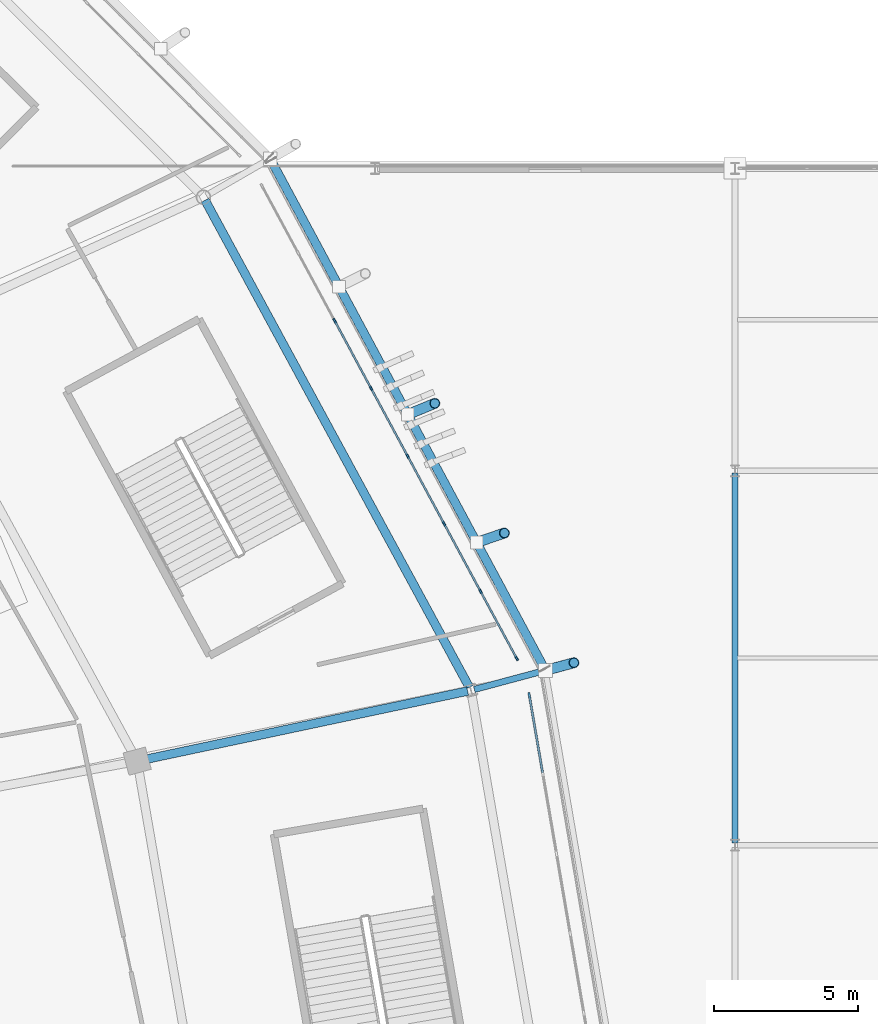
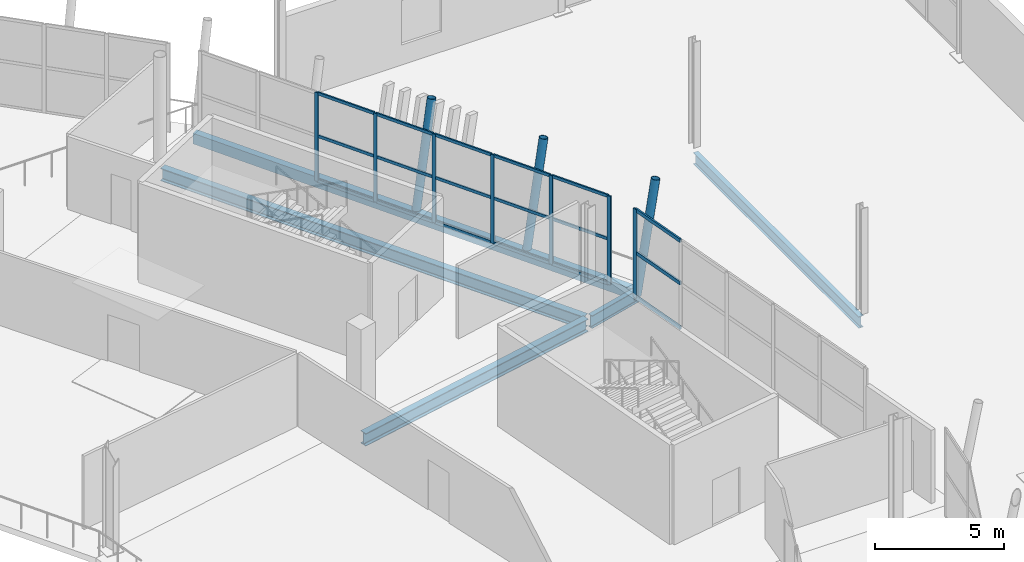
# One storey, part 67 of 179: 28 members, 5 beams, 2 elements without a shape of their own.
"""IFC4 building model written with IfcOpenShell, lengths in metres."""

from ifc_helpers import new_model, si_unit, direction, frame, origin, origin_2d, place, context, subcontext, project, spatial, rectangle, hollow_rectangle, hollow_circle, i_section, extrude, material, material_profile, profile_set, type_object, element, aggregate, save


model = new_model("IFC4")

# Units and contexts
model_context = context("Model", 3, precision=1e-05, world=origin(), true_north=direction((0.0, 1.0)))
body_context = subcontext(model_context, "Body", "Model", "MODEL_VIEW")
ifc_project = project(units=[si_unit("LENGTHUNIT", "METRE"), si_unit("AREAUNIT", "SQUARE_METRE"), si_unit("VOLUMEUNIT", "CUBIC_METRE"), si_unit("PLANEANGLEUNIT", "RADIAN"), si_unit("MASSUNIT", "GRAM", prefix="KILO")], contexts=[model_context])

# Site, building, storey
site_placement = place(None, origin())
site = spatial("IfcSite", under=ifc_project, at=site_placement, CompositionType="ELEMENT")
building_placement = place(site_placement, origin())
building = spatial("IfcBuilding", under=site, at=building_placement, Name="Zlatoyarsky Gate Stadium", CompositionType="ELEMENT")
storey_placement = place(building_placement, frame((0.0, 0.0, 10.60009765625)))
storey = spatial("IfcBuildingStorey", under=building, at=storey_placement, Name="L02", CompositionType="ELEMENT", Elevation=10.60009765625)

# Curtain wall, members
ifc_material_1 = material(Name="Thermally broken anodised aluminium curtain wall", Category="aluminium")
curtain_wall_type_1 = type_object("IfcCurtainWallType", Name="MONUMENTAL ARCHED GATE GLAZING UPPER", PredefinedType="USERDEFINED", material=ifc_material_1)
curtain_wall_1_placement = place(storey_placement, origin())
curtain_wall_1 = element("IfcCurtainWall", 1, at=curtain_wall_1_placement, inside=storey, type_object=curtain_wall_type_1, Name="Curtain wall CW-L02-00", ObjectType="ARCHED GATE GLAZING", PredefinedType="USERDEFINED")
ifc_material_2 = material(Name="Anodised aluminium 6063-T6", Category="aluminium")
ifc_material_profile_1 = material_profile(ifc_material_2, rectangle(XDim=0.074951171875, YDim=0.18994140625, at=origin_2d()), Name="ALU 75X190")
ifc_profile_set_1 = profile_set([ifc_material_profile_1], Name="Anodised aluminium 6063-T6")
member_type_1 = type_object("IfcMemberType", Name="ALUMINIUM GATE MULLION 75X190", PredefinedType="MULLION", material=ifc_profile_set_1)
member_1_placement = place(storey_placement, frame((202.855712890625, 98.2099609375, 0.0), z_axis=(0.0, 0.0, 1.0), x_axis=(-0.985636901617, -0.168878353177, 0.0)))
member_1 = element("IfcMember", 2, at=member_1_placement, type_object=member_type_1, Name="CW-AG2 mullion 6", PredefinedType="MULLION", context=body_context, shape_type="SweptSolid", body=[
    extrude(rectangle(XDim=0.074951171875, YDim=0.18994140625, at=origin_2d()), origin(), (0.0, 0.0, 1.0), 4.199951171875),
])
ifc_material_profile_2 = material_profile(ifc_material_2, rectangle(XDim=0.074951171875, YDim=0.169921875, at=origin_2d()), Name="ALU 75X170")
ifc_profile_set_2 = profile_set([ifc_material_profile_2], Name="Anodised aluminium 6063-T6")
member_type_2 = type_object("IfcMemberType", Name="ALUMINIUM GATE TRANSOM 75X170", PredefinedType="USERDEFINED", material=ifc_profile_set_2)
member_2_placement = place(storey_placement, frame((203.318115234375, 95.51171875, 0.037353515625), z_axis=(-0.16889856551, 0.985633438236, 0.0), x_axis=(-0.985633438236, -0.16889856551, 0.0)))
member_2 = element("IfcMember", 3, at=member_2_placement, type_object=member_type_2, Name="CW-AG2 transom 5.1", ObjectType="TRANSOM", PredefinedType="USERDEFINED", context=body_context, shape_type="SweptSolid", body=[
    extrude(rectangle(XDim=0.074951171875, YDim=0.169921875, at=origin_2d()), origin(), (0.0, 0.0, 1.0), 2.7001953125),
])
member_3_placement = place(storey_placement, frame((203.318115234375, 95.51171875, 2.14990234375), z_axis=(-0.16889856551, 0.985633438236, 0.0), x_axis=(-0.985633438236, -0.16889856551, 0.0)))
member_3 = element("IfcMember", 4, at=member_3_placement, type_object=member_type_2, Name="CW-AG2 transom 5.2", ObjectType="TRANSOM", PredefinedType="USERDEFINED", context=body_context, shape_type="SweptSolid", body=[
    extrude(rectangle(XDim=0.074951171875, YDim=0.169921875, at=origin_2d()), origin(), (0.0, 0.0, 1.0), 2.7001953125),
])
member_4_placement = place(storey_placement, frame((203.318115234375, 95.51171875, 4.162353515625), z_axis=(-0.16889856551, 0.985633438236, 0.0), x_axis=(-0.985633438236, -0.16889856551, 0.0)))
member_4 = element("IfcMember", 5, at=member_4_placement, type_object=member_type_2, Name="CW-AG2 transom 5.3", ObjectType="TRANSOM", PredefinedType="USERDEFINED", context=body_context, shape_type="SweptSolid", body=[
    extrude(rectangle(XDim=0.074951171875, YDim=0.169921875, at=origin_2d()), origin(), (0.0, 0.0, 1.0), 2.7001953125),
])
aggregate(curtain_wall_1, [member_1, member_2, member_3, member_4])

curtain_wall_type_2 = type_object("IfcCurtainWallType", Name="UNITISED HOSPITALITY GLAZING L02", PredefinedType="USERDEFINED", material=ifc_material_1)
curtain_wall_2_placement = place(storey_placement, origin())
curtain_wall_2 = element("IfcCurtainWall", 6, at=curtain_wall_2_placement, inside=storey, type_object=curtain_wall_type_2, Name="Curtain wall CW-L02-01", ObjectType="UNITISED GLAZING", PredefinedType="USERDEFINED")
ifc_material_profile_3 = material_profile(ifc_material_2, rectangle(XDim=0.06494140625, YDim=0.159912109375, at=origin_2d()), Name="ALU 65X160")
ifc_profile_set_3 = profile_set([ifc_material_profile_3], Name="Anodised aluminium 6063-T6")
member_type_3 = type_object("IfcMemberType", Name="ALUMINIUM MULLION 65X160", PredefinedType="MULLION", material=ifc_profile_set_3)
member_5_placement = place(storey_placement, frame((202.415771484375, 99.488525390625, 0.0), z_axis=(0.0, 0.0, 1.0), x_axis=(-0.880235853856, -0.474536449165, 0.0)))
member_5 = element("IfcMember", 7, at=member_5_placement, type_object=member_type_3, Name="CW-UG2 mullion 1", PredefinedType="MULLION", context=body_context, shape_type="SweptSolid", body=[
    extrude(rectangle(XDim=0.06494140625, YDim=0.159912109375, at=origin_2d()), origin(), (0.0, 0.0, 1.0), 4.199951171875),
])
member_6_placement = place(storey_placement, frame((201.1640625, 101.810546875, 0.0), z_axis=(0.0, 0.0, 1.0), x_axis=(-0.880235853856, -0.474536449165, 0.0)))
member_6 = element("IfcMember", 8, at=member_6_placement, type_object=member_type_3, Name="CW-UG2 mullion 2", PredefinedType="MULLION", context=body_context, shape_type="SweptSolid", body=[
    extrude(rectangle(XDim=0.06494140625, YDim=0.159912109375, at=origin_2d()), origin(), (0.0, 0.0, 1.0), 4.199951171875),
])
member_7_placement = place(storey_placement, frame((199.896728515625, 104.161376953125, 0.0), z_axis=(0.0, 0.0, 1.0), x_axis=(-0.880235853856, -0.474536449165, 0.0)))
member_7 = element("IfcMember", 9, at=member_7_placement, type_object=member_type_3, Name="CW-UG2 mullion 3", PredefinedType="MULLION", context=body_context, shape_type="SweptSolid", body=[
    extrude(rectangle(XDim=0.06494140625, YDim=0.159912109375, at=origin_2d()), origin(), (0.0, 0.0, 1.0), 4.199951171875),
])
member_8_placement = place(storey_placement, frame((198.629150390625, 106.51220703125, 0.0), z_axis=(0.0, 0.0, 1.0), x_axis=(-0.880235853856, -0.474536449165, 0.0)))
member_8 = element("IfcMember", 10, at=member_8_placement, type_object=member_type_3, Name="CW-UG2 mullion 4", PredefinedType="MULLION", context=body_context, shape_type="SweptSolid", body=[
    extrude(rectangle(XDim=0.06494140625, YDim=0.159912109375, at=origin_2d()), origin(), (0.0, 0.0, 1.0), 4.199951171875),
])
member_9_placement = place(storey_placement, frame((197.36181640625, 108.86328125, 0.0), z_axis=(0.0, 0.0, 1.0), x_axis=(-0.880235853856, -0.474536449165, 0.0)))
member_9 = element("IfcMember", 11, at=member_9_placement, type_object=member_type_3, Name="CW-UG2 mullion 5", PredefinedType="MULLION", context=body_context, shape_type="SweptSolid", body=[
    extrude(rectangle(XDim=0.06494140625, YDim=0.159912109375, at=origin_2d()), origin(), (0.0, 0.0, 1.0), 4.199951171875),
])
member_10_placement = place(storey_placement, frame((196.094482421875, 111.214111328125, 0.0), z_axis=(0.0, 0.0, 1.0), x_axis=(-0.880235853856, -0.474536449165, 0.0)))
member_10 = element("IfcMember", 12, at=member_10_placement, type_object=member_type_3, Name="CW-UG2 mullion 6", PredefinedType="MULLION", context=body_context, shape_type="SweptSolid", body=[
    extrude(rectangle(XDim=0.06494140625, YDim=0.159912109375, at=origin_2d()), origin(), (0.0, 0.0, 1.0), 4.199951171875),
])
ifc_material_profile_4 = material_profile(ifc_material_2, rectangle(XDim=0.06494140625, YDim=0.139892578125, at=origin_2d()), Name="ALU 65X140")
ifc_profile_set_4 = profile_set([ifc_material_profile_4], Name="Anodised aluminium 6063-T6")
member_type_4 = type_object("IfcMemberType", Name="ALUMINIUM TRANSOM 65X140", PredefinedType="USERDEFINED", material=ifc_profile_set_4)
member_11_placement = place(storey_placement, frame((202.400390625, 99.51708984375, 0.032470703125), z_axis=(-0.474518480893, 0.880245540341, 0.0), x_axis=(-0.880245540341, -0.474518480893, 0.0)))
member_11 = element("IfcMember", 13, at=member_11_placement, type_object=member_type_4, Name="CW-UG2 transom 1.1", ObjectType="TRANSOM", PredefinedType="USERDEFINED", context=body_context, shape_type="SweptSolid", body=[
    extrude(rectangle(XDim=0.06494140625, YDim=0.139892578125, at=origin_2d()), origin(), (0.0, 0.0, 1.0), 2.572998046875),
])
member_12_placement = place(storey_placement, frame((202.400390625, 99.51708984375, 2.14990234375), z_axis=(-0.474518480893, 0.880245540341, 0.0), x_axis=(-0.880245540341, -0.474518480893, 0.0)))
member_12 = element("IfcMember", 14, at=member_12_placement, type_object=member_type_4, Name="CW-UG2 transom 1.2", ObjectType="TRANSOM", PredefinedType="USERDEFINED", context=body_context, shape_type="SweptSolid", body=[
    extrude(rectangle(XDim=0.06494140625, YDim=0.139892578125, at=origin_2d()), origin(), (0.0, 0.0, 1.0), 2.572998046875),
])
member_13_placement = place(storey_placement, frame((202.400390625, 99.51708984375, 4.16748046875), z_axis=(-0.474518480893, 0.880245540341, 0.0), x_axis=(-0.880245540341, -0.474518480893, 0.0)))
member_13 = element("IfcMember", 15, at=member_13_placement, type_object=member_type_4, Name="CW-UG2 transom 1.3", ObjectType="TRANSOM", PredefinedType="USERDEFINED", context=body_context, shape_type="SweptSolid", body=[
    extrude(rectangle(XDim=0.06494140625, YDim=0.139892578125, at=origin_2d()), origin(), (0.0, 0.0, 1.0), 2.572998046875),
])
member_14_placement = place(storey_placement, frame((201.1484375, 101.83935546875, 0.032470703125), z_axis=(-0.47451326859, 0.880248350145, 0.0), x_axis=(-0.880248350145, -0.47451326859, 0.0)))
member_14 = element("IfcMember", 16, at=member_14_placement, type_object=member_type_4, Name="CW-UG2 transom 2.1", ObjectType="TRANSOM", PredefinedType="USERDEFINED", context=body_context, shape_type="SweptSolid", body=[
    extrude(rectangle(XDim=0.06494140625, YDim=0.139892578125, at=origin_2d()), origin(), (0.0, 0.0, 1.0), 2.60546875),
])
member_15_placement = place(storey_placement, frame((201.1484375, 101.83935546875, 2.14990234375), z_axis=(-0.47451326859, 0.880248350145, 0.0), x_axis=(-0.880248350145, -0.47451326859, 0.0)))
member_15 = element("IfcMember", 17, at=member_15_placement, type_object=member_type_4, Name="CW-UG2 transom 2.2", ObjectType="TRANSOM", PredefinedType="USERDEFINED", context=body_context, shape_type="SweptSolid", body=[
    extrude(rectangle(XDim=0.06494140625, YDim=0.139892578125, at=origin_2d()), origin(), (0.0, 0.0, 1.0), 2.60546875),
])
member_16_placement = place(storey_placement, frame((201.1484375, 101.83935546875, 4.16748046875), z_axis=(-0.47451326859, 0.880248350145, 0.0), x_axis=(-0.880248350145, -0.47451326859, 0.0)))
member_16 = element("IfcMember", 18, at=member_16_placement, type_object=member_type_4, Name="CW-UG2 transom 2.3", ObjectType="TRANSOM", PredefinedType="USERDEFINED", context=body_context, shape_type="SweptSolid", body=[
    extrude(rectangle(XDim=0.06494140625, YDim=0.139892578125, at=origin_2d()), origin(), (0.0, 0.0, 1.0), 2.60546875),
])
member_17_placement = place(storey_placement, frame((199.881103515625, 104.190185546875, 0.032470703125), z_axis=(-0.47451326859, 0.880248350145, 0.0), x_axis=(-0.880248350145, -0.47451326859, 0.0)))
member_17 = element("IfcMember", 19, at=member_17_placement, type_object=member_type_4, Name="CW-UG2 transom 3.1", ObjectType="TRANSOM", PredefinedType="USERDEFINED", context=body_context, shape_type="SweptSolid", body=[
    extrude(rectangle(XDim=0.06494140625, YDim=0.139892578125, at=origin_2d()), origin(), (0.0, 0.0, 1.0), 2.60546875),
])
member_18_placement = place(storey_placement, frame((199.881103515625, 104.190185546875, 2.14990234375), z_axis=(-0.47451326859, 0.880248350145, 0.0), x_axis=(-0.880248350145, -0.47451326859, 0.0)))
member_18 = element("IfcMember", 20, at=member_18_placement, type_object=member_type_4, Name="CW-UG2 transom 3.2", ObjectType="TRANSOM", PredefinedType="USERDEFINED", context=body_context, shape_type="SweptSolid", body=[
    extrude(rectangle(XDim=0.06494140625, YDim=0.139892578125, at=origin_2d()), origin(), (0.0, 0.0, 1.0), 2.60546875),
])
member_19_placement = place(storey_placement, frame((199.881103515625, 104.190185546875, 4.16748046875), z_axis=(-0.47451326859, 0.880248350145, 0.0), x_axis=(-0.880248350145, -0.47451326859, 0.0)))
member_19 = element("IfcMember", 21, at=member_19_placement, type_object=member_type_4, Name="CW-UG2 transom 3.3", ObjectType="TRANSOM", PredefinedType="USERDEFINED", context=body_context, shape_type="SweptSolid", body=[
    extrude(rectangle(XDim=0.06494140625, YDim=0.139892578125, at=origin_2d()), origin(), (0.0, 0.0, 1.0), 2.60546875),
])
member_20_placement = place(storey_placement, frame((198.61376953125, 106.541015625, 0.032470703125), z_axis=(-0.47451326859, 0.880248350145, 0.0), x_axis=(-0.880248350145, -0.47451326859, 0.0)))
member_20 = element("IfcMember", 22, at=member_20_placement, type_object=member_type_4, Name="CW-UG2 transom 4.1", ObjectType="TRANSOM", PredefinedType="USERDEFINED", context=body_context, shape_type="SweptSolid", body=[
    extrude(rectangle(XDim=0.06494140625, YDim=0.139892578125, at=origin_2d()), origin(), (0.0, 0.0, 1.0), 2.60546875),
])
member_21_placement = place(storey_placement, frame((198.61376953125, 106.541015625, 2.14990234375), z_axis=(-0.47451326859, 0.880248350145, 0.0), x_axis=(-0.880248350145, -0.47451326859, 0.0)))
member_21 = element("IfcMember", 23, at=member_21_placement, type_object=member_type_4, Name="CW-UG2 transom 4.2", ObjectType="TRANSOM", PredefinedType="USERDEFINED", context=body_context, shape_type="SweptSolid", body=[
    extrude(rectangle(XDim=0.06494140625, YDim=0.139892578125, at=origin_2d()), origin(), (0.0, 0.0, 1.0), 2.60546875),
])
member_22_placement = place(storey_placement, frame((198.61376953125, 106.541015625, 4.16748046875), z_axis=(-0.47451326859, 0.880248350145, 0.0), x_axis=(-0.880248350145, -0.47451326859, 0.0)))
member_22 = element("IfcMember", 24, at=member_22_placement, type_object=member_type_4, Name="CW-UG2 transom 4.3", ObjectType="TRANSOM", PredefinedType="USERDEFINED", context=body_context, shape_type="SweptSolid", body=[
    extrude(rectangle(XDim=0.06494140625, YDim=0.139892578125, at=origin_2d()), origin(), (0.0, 0.0, 1.0), 2.60546875),
])
member_23_placement = place(storey_placement, frame((197.346435546875, 108.891845703125, 0.032470703125), z_axis=(-0.47451326859, 0.880248350145, 0.0), x_axis=(-0.880248350145, -0.47451326859, 0.0)))
member_23 = element("IfcMember", 25, at=member_23_placement, type_object=member_type_4, Name="CW-UG2 transom 5.1", ObjectType="TRANSOM", PredefinedType="USERDEFINED", context=body_context, shape_type="SweptSolid", body=[
    extrude(rectangle(XDim=0.06494140625, YDim=0.139892578125, at=origin_2d()), origin(), (0.0, 0.0, 1.0), 2.60546875),
])
member_24_placement = place(storey_placement, frame((197.346435546875, 108.891845703125, 2.14990234375), z_axis=(-0.47451326859, 0.880248350145, 0.0), x_axis=(-0.880248350145, -0.47451326859, 0.0)))
member_24 = element("IfcMember", 26, at=member_24_placement, type_object=member_type_4, Name="CW-UG2 transom 5.2", ObjectType="TRANSOM", PredefinedType="USERDEFINED", context=body_context, shape_type="SweptSolid", body=[
    extrude(rectangle(XDim=0.06494140625, YDim=0.139892578125, at=origin_2d()), origin(), (0.0, 0.0, 1.0), 2.60546875),
])
member_25_placement = place(storey_placement, frame((197.346435546875, 108.891845703125, 4.16748046875), z_axis=(-0.47451326859, 0.880248350145, 0.0), x_axis=(-0.880248350145, -0.47451326859, 0.0)))
member_25 = element("IfcMember", 27, at=member_25_placement, type_object=member_type_4, Name="CW-UG2 transom 5.3", ObjectType="TRANSOM", PredefinedType="USERDEFINED", context=body_context, shape_type="SweptSolid", body=[
    extrude(rectangle(XDim=0.06494140625, YDim=0.139892578125, at=origin_2d()), origin(), (0.0, 0.0, 1.0), 2.60546875),
])
aggregate(curtain_wall_2, [member_5, member_6, member_7, member_8, member_9, member_10, member_11, member_12, member_13, member_14, member_15, member_16, member_17, member_18, member_19, member_20, member_21, member_22, member_23, member_24, member_25])

# Beams
ifc_material_3 = material(Name="Steel S355", Category="steel")
ifc_material_profile_5 = material_profile(ifc_material_3, i_section(OverallWidth=0.219970703125, OverallDepth=0.60009765625, WebThickness=0.011962890625, FlangeThickness=0.01904296875, FilletRadius=0.02392578125, at=origin_2d()), Name="IPE 600")
ifc_profile_set_5 = profile_set([ifc_material_profile_5], Name="Steel S355")
beam_type_1 = type_object("IfcBeamType", Name="STEEL CANTILEVER FLOOR BEAM IPE 600", PredefinedType="BEAM", material=ifc_profile_set_5)
beam_1_placement = place(storey_placement, frame((200.947021484375, 98.4072265625, -0.580078125), z_axis=(0.965937819088, 0.258774283219, 0.0), x_axis=(-0.258774283219, 0.965937819088, 0.0)))
element("IfcBeam", 28, at=beam_1_placement, inside=storey, type_object=beam_type_1, Name="Beam B-IPE600 BM-L02-OUT-01", PredefinedType="BEAM", context=body_context, shape_type="SweptSolid", body=[
    extrude(i_section(OverallWidth=0.219970703125, OverallDepth=0.60009765625, WebThickness=0.011962890625, FlangeThickness=0.01904296875, FilletRadius=0.02392578125, at=origin_2d()), origin(), (0.0, 0.0, 1.0), 2.555908203125),
])
ifc_material_profile_6 = material_profile(ifc_material_3, i_section(OverallWidth=0.2099609375, OverallDepth=0.550048828125, WebThickness=0.010986328125, FlangeThickness=0.01708984375, FilletRadius=0.02392578125, at=origin_2d()), Name="IPE 550")
ifc_profile_set_6 = profile_set([ifc_material_profile_6], Name="Steel S355")
beam_type_2 = type_object("IfcBeamType", Name="STEEL FLOOR BEAM IPE 550", PredefinedType="BEAM", material=ifc_profile_set_6)
beam_2_placement = place(storey_placement, frame((210.0, 93.080078125, -0.55517578125), z_axis=(0.0, 1.0, 0.0), x_axis=(-1.0, 0.0, 0.0)))
element("IfcBeam", 29, at=beam_2_placement, inside=storey, type_object=beam_type_2, Name="Beam B-IPE550 BM-L02-WGY-18-J", PredefinedType="BEAM", context=body_context, shape_type="SweptSolid", body=[
    extrude(i_section(OverallWidth=0.2099609375, OverallDepth=0.550048828125, WebThickness=0.010986328125, FlangeThickness=0.01708984375, FilletRadius=0.02392578125, at=origin_2d()), origin(), (0.0, 0.0, 1.0), 12.83984375),
])

# Members
ifc_material_profile_7 = material_profile(ifc_material_3, hollow_circle(Radius=0.177734375, WallThickness=0.02001953125, at=origin_2d()), Name="CHS 355.6X20")
ifc_profile_set_7 = profile_set([ifc_material_profile_7], Name="Steel S355")
member_type_5 = type_object("IfcMemberType", Name="STEEL LEANING RIB RING STRUT CHS 355.6X20", PredefinedType="STRUT", material=ifc_profile_set_7)
member_26_placement = place(storey_placement, frame((203.415771484375, 99.068603515625, -0.580078125), z_axis=(0.194239964978, 0.052087496149, 0.979570175511), x_axis=(-0.259009511327, 0.96587477089, 0.0)))
element("IfcMember", 30, at=member_26_placement, inside=storey, type_object=member_type_5, Name="Leaning ring strut 01 L02 to L03", PredefinedType="STRUT", context=body_context, shape_type="SweptSolid", body=[
    extrude(hollow_circle(Radius=0.177734375, WallThickness=0.02001953125, at=origin_2d()), origin(), (0.0, 0.0, 1.0), 5.104248046875),
])
member_27_placement = place(storey_placement, frame((201.0263671875, 103.510986328125, -0.530029296875), z_axis=(0.189266850375, 0.064205286452, 0.979824341676), x_axis=(-0.32125034364, 0.946994306588, 0.0)))
element("IfcMember", 31, at=member_27_placement, inside=storey, type_object=member_type_5, Name="Outward-leaning bowl louvre fin rib L02 01-1", PredefinedType="STRUT", context=body_context, shape_type="SweptSolid", body=[
    extrude(hollow_circle(Radius=0.177734375, WallThickness=0.02001953125, at=origin_2d()), origin(), (0.0, 0.0, 1.0), 5.10302734375),
])
member_28_placement = place(storey_placement, frame((198.63671875, 107.953369140625, -0.530029296875), z_axis=(0.184259506666, 0.076316258928, 0.979910334075), x_axis=(-0.382655494937, 0.923891104078, 0.0)))
element("IfcMember", 32, at=member_28_placement, inside=storey, type_object=member_type_5, Name="Outward-leaning bowl louvre fin rib L02 01-2", PredefinedType="STRUT", context=body_context, shape_type="SweptSolid", body=[
    extrude(hollow_circle(Radius=0.177734375, WallThickness=0.02001953125, at=origin_2d()), origin(), (0.0, 0.0, 1.0), 5.1025390625),
])

# Beams
ifc_material_profile_8 = material_profile(ifc_material_3, hollow_rectangle(XDim=0.300048828125, YDim=0.5, WallThickness=0.02001953125, at=origin_2d()), Name="RHS 500X300X20")
ifc_profile_set_8 = profile_set([ifc_material_profile_8], Name="Steel S355")
beam_type_3 = type_object("IfcBeamType", Name="STEEL LOUVRE CARRIER SPANDREL RHS 500X300X20", PredefinedType="SPANDREL", material=ifc_profile_set_8)
beam_3_placement = place(storey_placement, frame((203.40625, 99.086181640625, -0.530029296875), z_axis=(-0.473711528738, 0.880680071048, 0.0), x_axis=(-0.880680071048, -0.473711528738, 0.0)))
element("IfcBeam", 33, at=beam_3_placement, inside=storey, type_object=beam_type_3, Name="Beam SP-RHS500 BM-L02-SPD-01", PredefinedType="SPANDREL", context=body_context, shape_type="SweptSolid", body=[
    extrude(hollow_rectangle(XDim=0.300048828125, YDim=0.5, WallThickness=0.02001953125, at=origin_2d()), origin(), (0.0, 0.0, 1.0), 20.136962890625),
])
ifc_material_profile_9 = material_profile(ifc_material_3, i_section(OverallWidth=0.300048828125, OverallDepth=0.60009765625, WebThickness=0.015380859375, FlangeThickness=0.030029296875, FilletRadius=0.027099609375, at=origin_2d()), Name="HEB 600")
ifc_profile_set_9 = profile_set([ifc_material_profile_9], Name="Steel S355")
beam_type_4 = type_object("IfcBeamType", Name="STEEL PRIMARY GIRDER HEB 600", PredefinedType="BEAM", material=ifc_profile_set_9)
beam_4_placement = place(storey_placement, frame((189.357421875, 95.9423828125, -0.580078125), z_axis=(0.978233348926, 0.207507867438, 0.0), x_axis=(-0.207507867438, 0.978233348926, 0.0)))
element("IfcBeam", 34, at=beam_4_placement, inside=storey, type_object=beam_type_4, Name="Beam G-HEB600 BM-L02-RBC-01", PredefinedType="BEAM", context=body_context, shape_type="SweptSolid", body=[
    extrude(i_section(OverallWidth=0.300048828125, OverallDepth=0.60009765625, WebThickness=0.015380859375, FlangeThickness=0.030029296875, FilletRadius=0.027099609375, at=origin_2d()), origin(), (0.0, 0.0, 1.0), 11.60888671875),
])
beam_5_placement = place(storey_placement, frame((200.77392578125, 98.481689453125, -0.580078125), z_axis=(-0.476891650323, 0.878962088973, 0.0), x_axis=(-0.878962088973, -0.476891650323, 0.0)))
element("IfcBeam", 35, at=beam_5_placement, inside=storey, type_object=beam_type_4, Name="Beam G-HEB600 BM-L02-CRC-01", PredefinedType="BEAM", context=body_context, shape_type="SweptSolid", body=[
    extrude(i_section(OverallWidth=0.300048828125, OverallDepth=0.60009765625, WebThickness=0.015380859375, FlangeThickness=0.030029296875, FilletRadius=0.027099609375, at=origin_2d()), origin(), (0.0, 0.0, 1.0), 19.241943359375),
])

save(model, "model.ifc")
